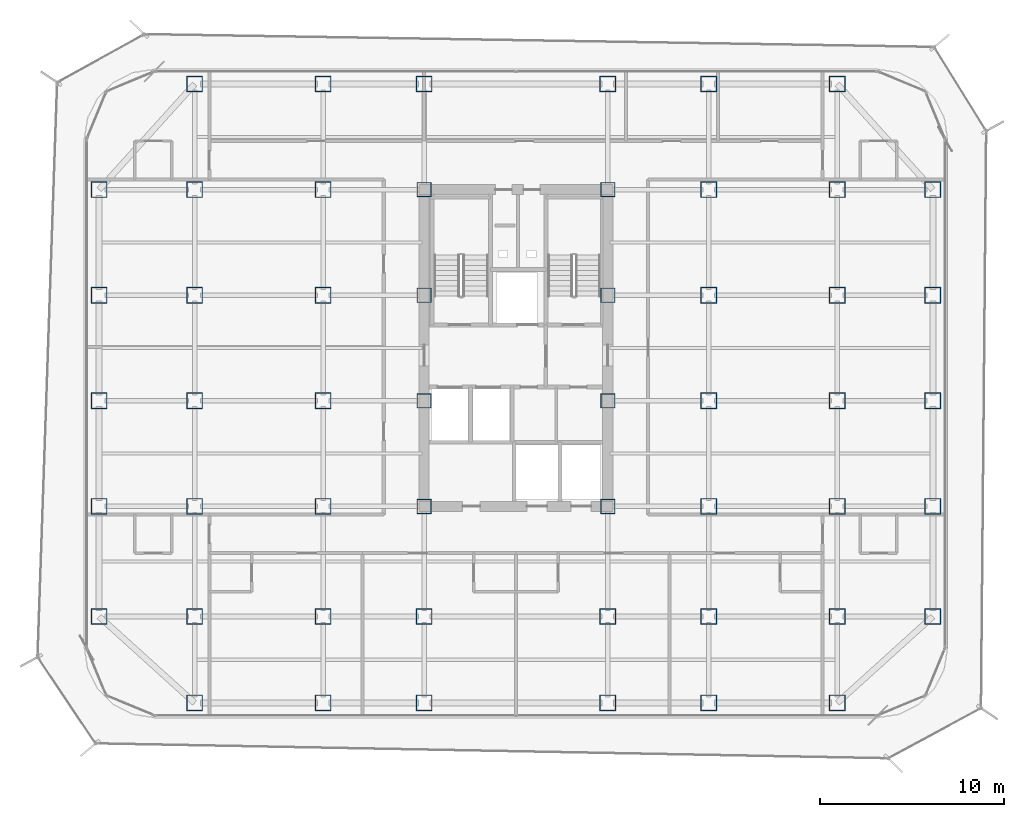
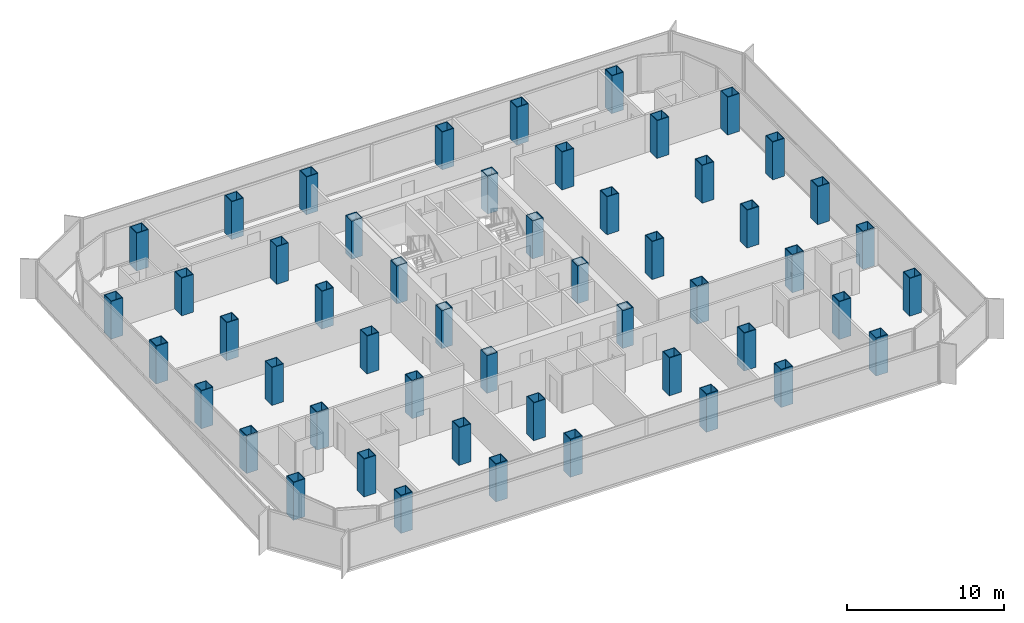
# One storey, part 1 of 21: 52 columns.
"""IFC4 building model written with IfcOpenShell, lengths in metres."""

from ifc_helpers import new_model, si_unit, direction, frame, origin, origin_2d, place, context, subcontext, project, spatial, hollow_rectangle, extrude, source, transform, mapped, material, material_profile, profile_set, type_object, element, save


model = new_model("IFC4")

# Units and contexts
model_context = context("Model", 3, precision=1e-05, world=origin(), true_north=direction((0.0, 1.0)))
body_context = subcontext(model_context, "Body", "Model", "MODEL_VIEW")
ifc_project = project(units=[si_unit("LENGTHUNIT", "METRE"), si_unit("AREAUNIT", "SQUARE_METRE"), si_unit("VOLUMEUNIT", "CUBIC_METRE"), si_unit("PLANEANGLEUNIT", "RADIAN"), si_unit("MASSUNIT", "GRAM", prefix="KILO")], contexts=[model_context])

# Site, building, storey
site_placement = place(None, origin())
site = spatial("IfcSite", under=ifc_project, at=site_placement, CompositionType="ELEMENT")
building_placement = place(site_placement, origin())
building = spatial("IfcBuilding", under=site, at=building_placement, Name="Kolveth Station Tower", CompositionType="ELEMENT")
storey_placement = place(building_placement, frame((0.0, 0.0, 95.89990234375)))
storey = spatial("IfcBuildingStorey", under=building, at=storey_placement, Name="L25", CompositionType="ELEMENT", Elevation=95.89990234375)

# Columns
ifc_material_1 = material(Name="Steel S460", Category="steel")
ifc_material_profile_1 = material_profile(ifc_material_1, hollow_rectangle(XDim=0.8798828125, YDim=0.8798828125, WallThickness=0.050048828125, at=origin_2d()), Name="BOX880x880x50")
ifc_profile_set_1 = profile_set([ifc_material_profile_1], Name="Steel S460")
column_type_1 = type_object("IfcColumnType", Name="Col_C4", PredefinedType="COLUMN", material=ifc_profile_set_1)
shared_shape_1 = source(origin(), body_context, "Body", "SweptSolid", [
    extrude(hollow_rectangle(XDim=0.8798828125, YDim=0.8798828125, WallThickness=0.050048828125, at=origin_2d()), origin(), (0.0, 0.0, 1.0), 2.9501953125),
])
for number, where, z_axis, x_axis, name in (
    (1, (6.0, 0.800048828125, 0.0), (0.0, 0.0, 1.0), (1.0, 0.0, 0.0), "L25 Tower Column S-X60"),
    (2, (6.0, 34.5, 0.0), (0.0, 0.0, 1.0), (1.0, 0.0, 0.0), "L25 Tower Column N-X60"),
    (3, (13.0, 0.800048828125, 0.0), (0.0, 0.0, 1.0), (1.0, 0.0, 0.0), "L25 Tower Column S-X130"),
    (4, (13.0, 34.5, 0.0), (0.0, 0.0, 1.0), (1.0, 0.0, 0.0), "L25 Tower Column N-X130"),
    (5, (18.5, 0.800048828125, 0.0), (0.0, 0.0, 1.0), (1.0, 0.0, 0.0), "L25 Tower Column S-X185"),
    (6, (18.5, 34.5, 0.0), (0.0, 0.0, 1.0), (1.0, 0.0, 0.0), "L25 Tower Column N-X185"),
    (7, (28.5, 0.800048828125, 0.0), (0.0, 0.0, 1.0), (1.0, 0.0, 0.0), "L25 Tower Column S-X285"),
    (8, (28.5, 34.5, 0.0), (0.0, 0.0, 1.0), (1.0, 0.0, 0.0), "L25 Tower Column N-X285"),
    (9, (34.0, 0.800048828125, 0.0), (0.0, 0.0, 1.0), (1.0, 0.0, 0.0), "L25 Tower Column S-X340"),
    (10, (34.0, 34.5, 0.0), (0.0, 0.0, 1.0), (1.0, 0.0, 0.0), "L25 Tower Column N-X340"),
    (11, (41.0, 0.800048828125, 0.0), (0.0, 0.0, 1.0), (1.0, 0.0, 0.0), "L25 Tower Column S-X410"),
    (12, (41.0, 34.5, 0.0), (0.0, 0.0, 1.0), (1.0, 0.0, 0.0), "L25 Tower Column N-X410"),
    (13, (0.800048828125, 5.5, 0.0), (0.0, 0.0, 1.0), (1.0, 0.0, 0.0), "L25 Tower Column W-Y55"),
    (14, (46.199951171875, 5.5, 0.0), (0.0, 0.0, 1.0), (1.0, 0.0, 0.0), "L25 Tower Column E-Y55"),
    (15, (0.800048828125, 11.5, 0.0), (0.0, 0.0, 1.0), (1.0, 0.0, 0.0), "L25 Tower Column W-Y115"),
    (16, (46.199951171875, 11.5, 0.0), (0.0, 0.0, 1.0), (1.0, 0.0, 0.0), "L25 Tower Column E-Y115"),
    (17, (0.800048828125, 17.25, 0.0), (0.0, 0.0, 1.0), (1.0, 0.0, 0.0), "L25 Tower Column W-Y172"),
    (18, (46.199951171875, 17.25, 0.0), (0.0, 0.0, 1.0), (1.0, 0.0, 0.0), "L25 Tower Column E-Y172"),
    (19, (0.800048828125, 23.0, 0.0), (0.0, 0.0, 1.0), (1.0, 0.0, 0.0), "L25 Tower Column W-Y230"),
    (20, (46.199951171875, 23.0, 0.0), (0.0, 0.0, 1.0), (1.0, 0.0, 0.0), "L25 Tower Column E-Y230"),
    (21, (0.800048828125, 28.75, 0.0), (0.0, 0.0, 1.0), (1.0, 0.0, 0.0), "L25 Tower Column W-Y287"),
    (22, (46.199951171875, 28.75, 0.0), (0.0, 0.0, 1.0), (1.0, 0.0, 0.0), "L25 Tower Column E-Y287"),
    (23, (6.0, 5.5, 0.0), (0.0, 0.0, 1.0), (1.0, 0.0, 0.0), "L25 Tower Column G-60-55"),
    (24, (6.0, 11.5, 0.0), (0.0, 0.0, 1.0), (1.0, 0.0, 0.0), "L25 Tower Column G-60-115"),
    (25, (6.0, 17.25, 0.0), (0.0, 0.0, 1.0), (1.0, 0.0, 0.0), "L25 Tower Column G-60-172"),
    (26, (6.0, 23.0, 0.0), (0.0, 0.0, 1.0), (1.0, 0.0, 0.0), "L25 Tower Column G-60-230"),
    (27, (6.0, 28.75, 0.0), (0.0, 0.0, 1.0), (1.0, 0.0, 0.0), "L25 Tower Column G-60-287"),
    (28, (13.0, 5.5, 0.0), (0.0, 0.0, 1.0), (1.0, 0.0, 0.0), "L25 Tower Column G-130-55"),
    (29, (13.0, 11.5, 0.0), (0.0, 0.0, 1.0), (1.0, 0.0, 0.0), "L25 Tower Column G-130-115"),
    (30, (13.0, 17.25, 0.0), (0.0, 0.0, 1.0), (1.0, 0.0, 0.0), "L25 Tower Column G-130-172"),
    (31, (13.0, 23.0, 0.0), (0.0, 0.0, 1.0), (1.0, 0.0, 0.0), "L25 Tower Column G-130-230"),
    (32, (13.0, 28.75, 0.0), (0.0, 0.0, 1.0), (1.0, 0.0, 0.0), "L25 Tower Column G-130-287"),
    (33, (18.5, 5.5, 0.0), (0.0, 0.0, 1.0), (1.0, 0.0, 0.0), "L25 Tower Column G-185-55"),
    (34, (28.5, 5.5, 0.0), (0.0, 0.0, 1.0), (1.0, 0.0, 0.0), "L25 Tower Column G-285-55"),
    (35, (34.0, 5.5, 0.0), (0.0, 0.0, 1.0), (1.0, 0.0, 0.0), "L25 Tower Column G-340-55"),
    (36, (34.0, 11.5, 0.0), (0.0, 0.0, 1.0), (1.0, 0.0, 0.0), "L25 Tower Column G-340-115"),
    (37, (34.0, 17.25, 0.0), (0.0, 0.0, 1.0), (1.0, 0.0, 0.0), "L25 Tower Column G-340-172"),
    (38, (34.0, 23.0, 0.0), (0.0, 0.0, 1.0), (1.0, 0.0, 0.0), "L25 Tower Column G-340-230"),
    (39, (34.0, 28.75, 0.0), (0.0, 0.0, 1.0), (1.0, 0.0, 0.0), "L25 Tower Column G-340-287"),
    (40, (41.0, 5.5, 0.0), (0.0, 0.0, 1.0), (1.0, 0.0, 0.0), "L25 Tower Column G-410-55"),
    (41, (41.0, 11.5, 0.0), (0.0, 0.0, 1.0), (1.0, 0.0, 0.0), "L25 Tower Column G-410-115"),
    (42, (41.0, 17.25, 0.0), (0.0, 0.0, 1.0), (1.0, 0.0, 0.0), "L25 Tower Column G-410-172"),
    (43, (41.0, 23.0, 0.0), (0.0, 0.0, 1.0), (1.0, 0.0, 0.0), "L25 Tower Column G-410-230"),
    (44, (41.0, 28.75, 0.0), (0.0, 0.0, 1.0), (1.0, 0.0, 0.0), "L25 Tower Column G-410-287"),
):
    element("IfcColumn", number, at=place(storey_placement, frame(where, z_axis=z_axis, x_axis=x_axis)), inside=storey, type_object=column_type_1, Name=name, PredefinedType="COLUMN", context=body_context, shape_type="MappedRepresentation", body=[
        mapped(shared_shape_1, transform((0.0, 0.0, 0.0), x_axis=(1.0, 0.0, 0.0), y_axis=(0.0, 1.0, 0.0), z_axis=(0.0, 0.0, 1.0), scale=1.0)),
    ])
ifc_material_2 = material(Name="Steel S355", Category="steel")
ifc_material_profile_2 = material_profile(ifc_material_2, hollow_rectangle(XDim=0.800048828125, YDim=0.800048828125, WallThickness=0.044921875, at=origin_2d()), Name="BOX800x800x45")
ifc_profile_set_2 = profile_set([ifc_material_profile_2], Name="Steel S355")
column_type_2 = type_object("IfcColumnType", Name="Col_C5", PredefinedType="COLUMN", material=ifc_profile_set_2)
shared_shape_2 = source(origin(), body_context, "Body", "SweptSolid", [
    extrude(hollow_rectangle(XDim=0.800048828125, YDim=0.800048828125, WallThickness=0.044921875, at=origin_2d()), origin(), (0.0, 0.0, 1.0), 2.9501953125),
])
for number, where, z_axis, x_axis, name in (
    (45, (18.5, 11.5, 0.0), (0.0, 0.0, 1.0), (1.0, 0.0, 0.0), "L25 Tower Column G-185-115"),
    (46, (18.5, 17.25, 0.0), (0.0, 0.0, 1.0), (1.0, 0.0, 0.0), "L25 Tower Column G-185-172"),
    (47, (18.5, 23.0, 0.0), (0.0, 0.0, 1.0), (1.0, 0.0, 0.0), "L25 Tower Column G-185-230"),
    (48, (18.5, 28.75, 0.0), (0.0, 0.0, 1.0), (1.0, 0.0, 0.0), "L25 Tower Column G-185-287"),
    (49, (28.5, 11.5, 0.0), (0.0, 0.0, 1.0), (1.0, 0.0, 0.0), "L25 Tower Column G-285-115"),
    (50, (28.5, 17.25, 0.0), (0.0, 0.0, 1.0), (1.0, 0.0, 0.0), "L25 Tower Column G-285-172"),
    (51, (28.5, 23.0, 0.0), (0.0, 0.0, 1.0), (1.0, 0.0, 0.0), "L25 Tower Column G-285-230"),
    (52, (28.5, 28.75, 0.0), (0.0, 0.0, 1.0), (1.0, 0.0, 0.0), "L25 Tower Column G-285-287"),
):
    element("IfcColumn", number, at=place(storey_placement, frame(where, z_axis=z_axis, x_axis=x_axis)), inside=storey, type_object=column_type_2, Name=name, PredefinedType="COLUMN", context=body_context, shape_type="MappedRepresentation", body=[
        mapped(shared_shape_2, transform((0.0, 0.0, 0.0), x_axis=(1.0, 0.0, 0.0), y_axis=(0.0, 1.0, 0.0), z_axis=(0.0, 0.0, 1.0), scale=1.0)),
    ])

save(model, "model.ifc")
